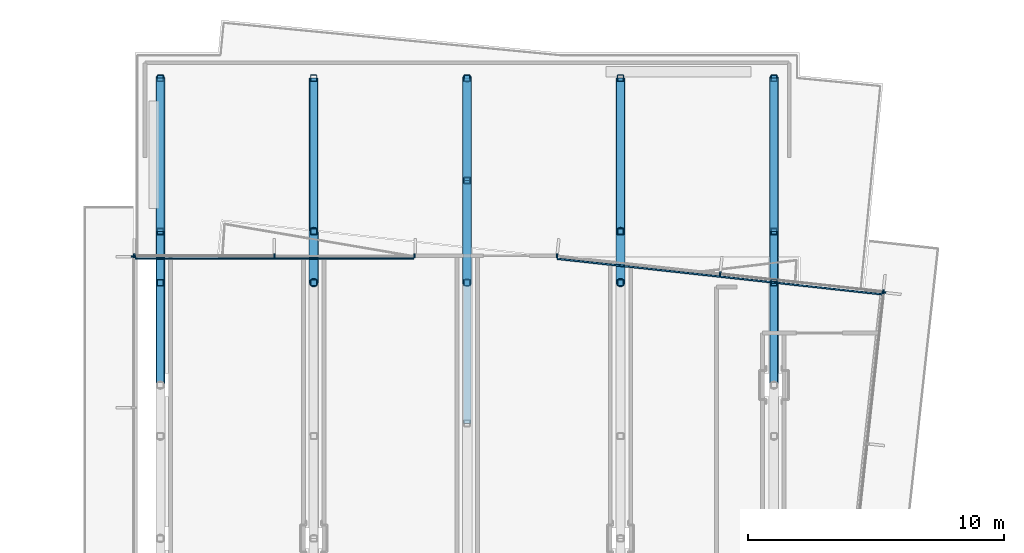
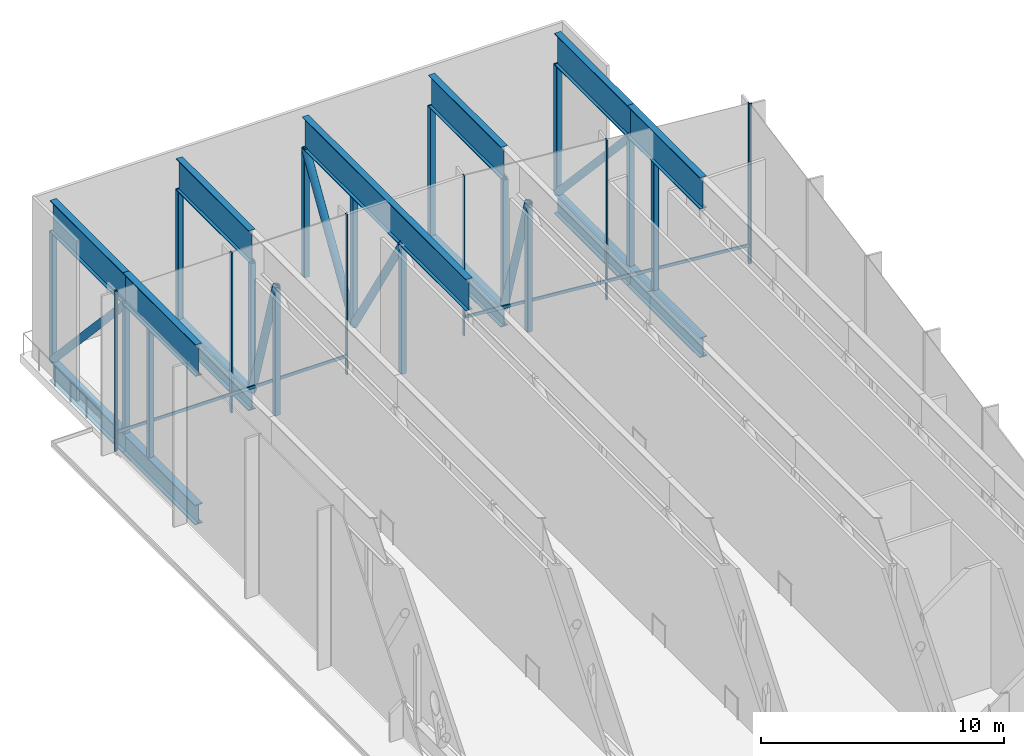
# One storey, part 9 of 21: 44 members, 4 elements without a shape of their own.
"""IFC4 building model written with IfcOpenShell, lengths in metres."""

from ifc_helpers import new_model, si_unit, direction, frame, origin, origin_2d, place, context, subcontext, project, spatial, rectangle, hollow_rectangle, hollow_circle, i_section, extrude, material, layer, layer_set, material_profile, profile_set, type_object, element, aggregate, save


model = new_model("IFC4")

# Units and contexts
model_context = context("Model", 3, precision=1e-05, world=origin(), true_north=direction((0.0, 1.0)))
body_context = subcontext(model_context, "Body", "Model", "MODEL_VIEW")
ifc_project = project(units=[si_unit("LENGTHUNIT", "METRE"), si_unit("AREAUNIT", "SQUARE_METRE"), si_unit("VOLUMEUNIT", "CUBIC_METRE"), si_unit("PLANEANGLEUNIT", "RADIAN"), si_unit("MASSUNIT", "GRAM", prefix="KILO")], contexts=[model_context])

# Site, building, storey
site_placement = place(None, origin())
site = spatial("IfcSite", under=ifc_project, at=site_placement, CompositionType="ELEMENT")
building_placement = place(site_placement, origin())
building = spatial("IfcBuilding", under=site, at=building_placement, Name="Welwitschia Terrace Campus", CompositionType="ELEMENT")
storey_placement = place(building_placement, frame((0.0, 0.0, 255.800048828125)))
storey = spatial("IfcBuildingStorey", under=building, at=storey_placement, Name="L57", CompositionType="ELEMENT", Elevation=255.800048828125)

# Curtain wall, member
ifc_material_1 = material(Name="Bronze anodised aluminium", Category="aluminium")
ifc_layer = layer(ifc_material_1, 0.159912109375)
ifc_layer_set = layer_set([ifc_layer], Name="Bronze anodised aluminium")
curtain_wall_type = type_object("IfcCurtainWallType", Name="Curtain wall CW3 commons 6000", PredefinedType="NOTDEFINED", material=ifc_layer_set)
curtain_wall_1_placement = place(storey_placement, origin())
curtain_wall_1 = element("IfcCurtainWall", 1, at=curtain_wall_1_placement, inside=storey, type_object=curtain_wall_type, Name="CW L57.4.0", PredefinedType="NOTDEFINED")
ifc_material_2 = material(Name="Bronze anodised aluminium", Category="aluminium")
ifc_material_profile_1 = material_profile(ifc_material_2, rectangle(XDim=0.159912109375, YDim=0.06005859375, at=origin_2d()))
ifc_profile_set_1 = profile_set([ifc_material_profile_1], Name="Bronze anodised aluminium")
member_type_1 = type_object("IfcMemberType", Name="Mullion 60x160", PredefinedType="MULLION", material=ifc_profile_set_1)
member_1_placement = place(storey_placement, frame((28.30224609375, 61.616455078125, 0.0), z_axis=(0.0, 0.0, 1.0), x_axis=(-0.994056338222, 0.108866874852, 0.0)))
member_1 = element("IfcMember", 2, at=member_1_placement, type_object=member_type_1, Name="Mullion L57.4.0.5", PredefinedType="MULLION", context=body_context, shape_type="SweptSolid", body=[
    extrude(rectangle(XDim=0.159912109375, YDim=0.06005859375, at=origin_2d()), origin(), (0.0, 0.0, 1.0), 8.050048828125),
])
aggregate(curtain_wall_1, [member_1])

# Curtain wall, members
curtain_wall_2_placement = place(storey_placement, origin())
curtain_wall_2 = element("IfcCurtainWall", 3, at=curtain_wall_2_placement, inside=storey, type_object=curtain_wall_type, Name="CW L57.5.0", PredefinedType="NOTDEFINED")
member_2_placement = place(storey_placement, frame((28.275634765625, 61.6494140625, 0.0), z_axis=(0.0, 0.0, 1.0), x_axis=(-0.108866874852, -0.994056338222, 0.0)))
member_2 = element("IfcMember", 4, at=member_2_placement, type_object=member_type_1, Name="Mullion L57.5.0.0", PredefinedType="MULLION", context=body_context, shape_type="SweptSolid", body=[
    extrude(rectangle(XDim=0.159912109375, YDim=0.06005859375, at=origin_2d()), origin(), (0.0, 0.0, 1.0), 8.050048828125),
])
member_3_placement = place(storey_placement, frame((21.896240234375, 62.34814453125, 0.0), z_axis=(0.0, 0.0, 1.0), x_axis=(-0.108866874852, -0.994056338222, 0.0)))
member_3 = element("IfcMember", 5, at=member_3_placement, type_object=member_type_1, Name="Mullion L57.5.0.1", PredefinedType="MULLION", context=body_context, shape_type="SweptSolid", body=[
    extrude(rectangle(XDim=0.159912109375, YDim=0.06005859375, at=origin_2d()), origin(), (0.0, 0.0, 1.0), 8.050048828125),
])
member_4_placement = place(storey_placement, frame((15.516845703125, 63.046630859375, 0.0), z_axis=(0.0, 0.0, 1.0), x_axis=(-0.108866874852, -0.994056338222, 0.0)))
member_4 = element("IfcMember", 6, at=member_4_placement, type_object=member_type_1, Name="Mullion L57.5.0.2", PredefinedType="MULLION", context=body_context, shape_type="SweptSolid", body=[
    extrude(rectangle(XDim=0.159912109375, YDim=0.06005859375, at=origin_2d()), origin(), (0.0, 0.0, 1.0), 8.050048828125),
])

curtain_wall_3_placement = place(storey_placement, origin())
curtain_wall_3 = element("IfcCurtainWall", 7, at=curtain_wall_3_placement, inside=storey, type_object=curtain_wall_type, Name="CW L57.6.1", PredefinedType="NOTDEFINED")
member_5_placement = place(storey_placement, frame((9.94482421875, 63.050048828125, 0.0), z_axis=(0.0, 0.0, 1.0), x_axis=(0.0, -1.0, 0.0)))
member_5 = element("IfcMember", 8, at=member_5_placement, type_object=member_type_1, Name="Mullion L57.6.1.0", PredefinedType="MULLION", context=body_context, shape_type="SweptSolid", body=[
    extrude(rectangle(XDim=0.159912109375, YDim=0.06005859375, at=origin_2d()), origin(), (0.0, 0.0, 1.0), 8.050048828125),
])
member_6_placement = place(storey_placement, frame((4.46240234375, 63.050048828125, 0.0), z_axis=(0.0, 0.0, 1.0), x_axis=(0.0, -1.0, 0.0)))
member_6 = element("IfcMember", 9, at=member_6_placement, type_object=member_type_1, Name="Mullion L57.6.1.1", PredefinedType="MULLION", context=body_context, shape_type="SweptSolid", body=[
    extrude(rectangle(XDim=0.159912109375, YDim=0.06005859375, at=origin_2d()), origin(), (0.0, 0.0, 1.0), 8.050048828125),
])
member_7_placement = place(storey_placement, frame((-1.02001953125, 63.050048828125, 0.0), z_axis=(0.0, 0.0, 1.0), x_axis=(0.0, -1.0, 0.0)))
member_7 = element("IfcMember", 10, at=member_7_placement, type_object=member_type_1, Name="Mullion L57.6.1.2", PredefinedType="MULLION", context=body_context, shape_type="SweptSolid", body=[
    extrude(rectangle(XDim=0.159912109375, YDim=0.06005859375, at=origin_2d()), origin(), (0.0, 0.0, 1.0), 8.050048828125),
])

# Curtain wall, member
curtain_wall_4_placement = place(storey_placement, origin())
curtain_wall_4 = element("IfcCurtainWall", 11, at=curtain_wall_4_placement, inside=storey, type_object=curtain_wall_type, Name="CW L57.7.0", PredefinedType="NOTDEFINED")
member_8_placement = place(storey_placement, frame((-1.050048828125, 63.02001953125, 0.0), z_axis=(0.0, 0.0, 1.0), x_axis=(1.0, 0.0, 0.0)))
member_8 = element("IfcMember", 12, at=member_8_placement, type_object=member_type_1, Name="Mullion L57.7.0.0", PredefinedType="MULLION", context=body_context, shape_type="SweptSolid", body=[
    extrude(rectangle(XDim=0.159912109375, YDim=0.06005859375, at=origin_2d()), origin(), (0.0, 0.0, 1.0), 8.050048828125),
])
aggregate(curtain_wall_4, [member_8])

# Members
ifc_material_3 = material(Name="Steel S355", Category="steel")
ifc_material_profile_2 = material_profile(ifc_material_3, i_section(OverallWidth=0.35009765625, OverallDepth=1.0, WebThickness=0.02490234375, FlangeThickness=0.0400390625, at=origin_2d()))
ifc_profile_set_2 = profile_set([ifc_material_profile_2], Name="Steel S355")
member_type_2 = type_object("IfcMemberType", Name="Transfer truss C4 bottom chord WI 1000x350x25x40", PredefinedType="CHORD", material=ifc_profile_set_2)
for number, where, z_axis, x_axis, name in (
    (13, (0.0, 58.0, -0.5), (0.0, 1.0, 0.0), (-1.0, 0.0, 0.0), "Truss bottom chord"),
    (14, (0.0, 64.0, -0.5), (0.0, 1.0, 0.0), (-1.0, 0.0, 0.0), "Truss bottom chord"),
    (15, (6.0, 64.0, -0.5), (0.0, 1.0, 0.0), (-1.0, 0.0, 0.0), "Truss bottom chord"),
    (16, (18.0, 64.0, -0.5), (0.0, 1.0, 0.0), (-1.0, 0.0, 0.0), "Truss bottom chord"),
    (17, (24.0, 58.0, -0.5), (0.0, 1.0, 0.0), (-1.0, 0.0, 0.0), "Truss bottom chord"),
    (18, (24.0, 64.0, -0.5), (0.0, 1.0, 0.0), (-1.0, 0.0, 0.0), "Truss bottom chord"),
):
    element("IfcMember", number, at=place(storey_placement, frame(where, z_axis=z_axis, x_axis=x_axis)), inside=storey, type_object=member_type_2, Name=name, PredefinedType="CHORD", context=body_context, shape_type="SweptSolid", body=[
        extrude(i_section(OverallWidth=0.35009765625, OverallDepth=1.0, WebThickness=0.02490234375, FlangeThickness=0.0400390625, at=origin_2d()), origin(), (0.0, 0.0, 1.0), 6.0),
    ])
ifc_material_4 = material(Name="Steel S355", Category="steel")
ifc_material_profile_3 = material_profile(ifc_material_4, hollow_circle(Radius=0.177734375, WallThickness=0.01611328125, at=origin_2d()))
ifc_profile_set_3 = profile_set([ifc_material_profile_3], Name="Steel S355")
member_type_3 = type_object("IfcMemberType", Name="Transfer truss C4 diagonal CHS 355.6x16", PredefinedType="BRACE", material=ifc_profile_set_3)
member_9_placement = place(storey_placement, frame((0.0, 70.0, 0.0), z_axis=(0.0, -0.681106706671, 0.732184166811), x_axis=(1.0, 0.0, 0.0)))
element("IfcMember", 19, at=member_9_placement, inside=storey, type_object=member_type_3, Name="Truss diagonal", PredefinedType="BRACE", context=body_context, shape_type="SweptSolid", body=[
    extrude(hollow_circle(Radius=0.177734375, WallThickness=0.01611328125, at=origin_2d()), origin(), (0.0, 0.0, 1.0), 8.80908203125),
])
member_10_placement = place(storey_placement, frame((6.0, 64.0, 0.0), z_axis=(0.0, -0.296168365803, 0.955135749042), x_axis=(1.0, 0.0, 0.0)))
element("IfcMember", 20, at=member_10_placement, inside=storey, type_object=member_type_3, Name="Truss diagonal", PredefinedType="BRACE", context=body_context, shape_type="SweptSolid", body=[
    extrude(hollow_circle(Radius=0.177734375, WallThickness=0.01611328125, at=origin_2d()), origin(), (0.0, 0.0, 1.0), 6.7529296875),
])
for number, where, z_axis, x_axis, name in (
    (21, (12.0, 66.0, 0.0), (0.0, -0.527037721004, 0.849841891553), (1.0, 0.0, 0.0), "Truss diagonal"),
    (22, (12.0, 66.0, 0.0), (0.0, 0.527037721004, 0.849841891553), (-1.0, 0.0, 0.0), "Truss diagonal"),
):
    element("IfcMember", number, at=place(storey_placement, frame(where, z_axis=z_axis, x_axis=x_axis)), inside=storey, type_object=member_type_3, Name=name, PredefinedType="BRACE", context=body_context, shape_type="SweptSolid", body=[
        extrude(hollow_circle(Radius=0.177734375, WallThickness=0.01611328125, at=origin_2d()), origin(), (0.0, 0.0, 1.0), 7.589599609375),
    ])
member_11_placement = place(storey_placement, frame((18.0, 64.0, 0.0), z_axis=(0.0, -0.296168365803, 0.955135749042), x_axis=(1.0, 0.0, 0.0)))
element("IfcMember", 23, at=member_11_placement, inside=storey, type_object=member_type_3, Name="Truss diagonal", PredefinedType="BRACE", context=body_context, shape_type="SweptSolid", body=[
    extrude(hollow_circle(Radius=0.177734375, WallThickness=0.01611328125, at=origin_2d()), origin(), (0.0, 0.0, 1.0), 6.7529296875),
])
member_12_placement = place(storey_placement, frame((24.0, 70.0, 0.0), z_axis=(0.0, -0.681106706671, 0.732184166811), x_axis=(1.0, 0.0, 0.0)))
element("IfcMember", 24, at=member_12_placement, inside=storey, type_object=member_type_3, Name="Truss diagonal", PredefinedType="BRACE", context=body_context, shape_type="SweptSolid", body=[
    extrude(hollow_circle(Radius=0.177734375, WallThickness=0.01611328125, at=origin_2d()), origin(), (0.0, 0.0, 1.0), 8.80908203125),
])
ifc_material_5 = material(Name="Steel S355", Category="steel")
ifc_material_profile_4 = material_profile(ifc_material_5, hollow_rectangle(XDim=0.25, YDim=0.25, WallThickness=0.013916015625, InnerFilletRadius=0.013916015625, OuterFilletRadius=0.02099609375, at=origin_2d()))
ifc_profile_set_4 = profile_set([ifc_material_profile_4], Name="Steel S355")
member_type_4 = type_object("IfcMemberType", Name="Transfer truss C4 post SHS 250x250x14", PredefinedType="POST", material=ifc_profile_set_4)
for number, where, z_axis, x_axis, name in (
    (25, (0.0, 62.0, 0.0), (0.0, 0.0, 1.0), (1.0, 0.0, 0.0), "Truss post"),
    (26, (0.0, 64.0, 0.0), (0.0, 0.0, 1.0), (1.0, 0.0, 0.0), "Truss post"),
    (27, (0.0, 70.0, 0.0), (0.0, 0.0, 1.0), (1.0, 0.0, 0.0), "Truss post"),
    (28, (6.0, 62.0, 0.0), (0.0, 0.0, 1.0), (1.0, 0.0, 0.0), "Truss post"),
    (29, (6.0, 64.0, 0.0), (0.0, 0.0, 1.0), (1.0, 0.0, 0.0), "Truss post"),
    (30, (6.0, 70.0, 0.0), (0.0, 0.0, 1.0), (1.0, 0.0, 0.0), "Truss post"),
    (31, (12.0, 62.0, 0.0), (0.0, 0.0, 1.0), (1.0, 0.0, 0.0), "Truss post"),
    (32, (12.0, 66.0, 0.0), (0.0, 0.0, 1.0), (1.0, 0.0, 0.0), "Truss post"),
    (33, (12.0, 70.0, 0.0), (0.0, 0.0, 1.0), (1.0, 0.0, 0.0), "Truss post"),
    (34, (18.0, 62.0, 0.0), (0.0, 0.0, 1.0), (1.0, 0.0, 0.0), "Truss post"),
    (35, (18.0, 64.0, 0.0), (0.0, 0.0, 1.0), (1.0, 0.0, 0.0), "Truss post"),
    (36, (18.0, 70.0, 0.0), (0.0, 0.0, 1.0), (1.0, 0.0, 0.0), "Truss post"),
    (37, (24.0, 62.0, 0.0), (0.0, 0.0, 1.0), (1.0, 0.0, 0.0), "Truss post"),
    (38, (24.0, 64.0, 0.0), (0.0, 0.0, 1.0), (1.0, 0.0, 0.0), "Truss post"),
    (39, (24.0, 70.0, 0.0), (0.0, 0.0, 1.0), (1.0, 0.0, 0.0), "Truss post"),
):
    element("IfcMember", number, at=place(storey_placement, frame(where, z_axis=z_axis, x_axis=x_axis)), inside=storey, type_object=member_type_4, Name=name, PredefinedType="POST", context=body_context, shape_type="SweptSolid", body=[
        extrude(hollow_rectangle(XDim=0.25, YDim=0.25, WallThickness=0.013916015625, InnerFilletRadius=0.013916015625, OuterFilletRadius=0.02099609375, at=origin_2d()), origin(), (0.0, 0.0, 1.0), 6.449951171875),
    ])
ifc_material_6 = material(Name="Steel S355", Category="steel")
ifc_material_profile_5 = material_profile(ifc_material_6, i_section(OverallWidth=0.300048828125, OverallDepth=1.60009765625, WebThickness=0.02490234375, FlangeThickness=0.0400390625, at=origin_2d()))
ifc_profile_set_5 = profile_set([ifc_material_profile_5], Name="Steel S355")
member_type_5 = type_object("IfcMemberType", Name="Transfer truss C4 top chord WI 1600x300x25x40", PredefinedType="CHORD", material=ifc_profile_set_5)
for number, where, z_axis, x_axis, name in (
    (40, (0.0, 58.0, 7.25), (0.0, 1.0, 0.0), (-1.0, 0.0, 0.0), "Truss top chord"),
    (41, (0.0, 64.0, 7.25), (0.0, 1.0, 0.0), (-1.0, 0.0, 0.0), "Truss top chord"),
    (42, (6.0, 64.0, 7.25), (0.0, 1.0, 0.0), (-1.0, 0.0, 0.0), "Truss top chord"),
):
    element("IfcMember", number, at=place(storey_placement, frame(where, z_axis=z_axis, x_axis=x_axis)), inside=storey, type_object=member_type_5, Name=name, PredefinedType="CHORD", context=body_context, shape_type="SweptSolid", body=[
        extrude(i_section(OverallWidth=0.300048828125, OverallDepth=1.60009765625, WebThickness=0.02490234375, FlangeThickness=0.0400390625, at=origin_2d()), origin(), (0.0, 0.0, 1.0), 6.0),
    ])
member_13_placement = place(storey_placement, frame((12.0, 56.5, 7.25), z_axis=(0.0, 1.0, 0.0), x_axis=(-1.0, 0.0, 0.0)))
element("IfcMember", 43, at=member_13_placement, inside=storey, type_object=member_type_5, Name="Truss top chord", PredefinedType="CHORD", context=body_context, shape_type="SweptSolid", body=[
    extrude(i_section(OverallWidth=0.300048828125, OverallDepth=1.60009765625, WebThickness=0.02490234375, FlangeThickness=0.0400390625, at=origin_2d()), origin(), (0.0, 0.0, 1.0), 13.5),
])
for number, where, z_axis, x_axis, name in (
    (44, (18.0, 64.0, 7.25), (0.0, 1.0, 0.0), (-1.0, 0.0, 0.0), "Truss top chord"),
    (45, (24.0, 58.0, 7.25), (0.0, 1.0, 0.0), (-1.0, 0.0, 0.0), "Truss top chord"),
    (46, (24.0, 64.0, 7.25), (0.0, 1.0, 0.0), (-1.0, 0.0, 0.0), "Truss top chord"),
):
    element("IfcMember", number, at=place(storey_placement, frame(where, z_axis=z_axis, x_axis=x_axis)), inside=storey, type_object=member_type_5, Name=name, PredefinedType="CHORD", context=body_context, shape_type="SweptSolid", body=[
        extrude(i_section(OverallWidth=0.300048828125, OverallDepth=1.60009765625, WebThickness=0.02490234375, FlangeThickness=0.0400390625, at=origin_2d()), origin(), (0.0, 0.0, 1.0), 6.0),
    ])

# Member
ifc_material_7 = material(Name="Bronze anodised aluminium", Category="aluminium")
ifc_material_profile_6 = material_profile(ifc_material_7, rectangle(XDim=0.06005859375, YDim=0.14990234375, at=origin_2d()))
ifc_profile_set_6 = profile_set([ifc_material_profile_6], Name="Bronze anodised aluminium")
member_type_6 = type_object("IfcMemberType", Name="Transom 60x150", PredefinedType="USERDEFINED", material=ifc_profile_set_6)
member_14_placement = place(storey_placement, frame((28.23388671875, 61.54345703125, 1.0), z_axis=(-0.99405751491, 0.108856130057, 0.0), x_axis=(-0.108856130057, -0.99405751491, 0.0)))
member_14 = element("IfcMember", 47, at=member_14_placement, type_object=member_type_6, Name="Transom L57.5.0", ObjectType="TRANSOM", PredefinedType="USERDEFINED", context=body_context, shape_type="SweptSolid", body=[
    extrude(rectangle(XDim=0.06005859375, YDim=0.14990234375, at=origin_2d()), origin(), (0.0, 0.0, 1.0), 12.77490234375),
])

aggregate(curtain_wall_2, [member_2, member_3, member_4, member_14])

member_15_placement = place(storey_placement, frame((9.914794921875, 62.93994140625, 1.0), z_axis=(-1.0, 0.0, 0.0), x_axis=(0.0, -1.0, 0.0)))
member_15 = element("IfcMember", 48, at=member_15_placement, type_object=member_type_6, Name="Transom L57.6.1", ObjectType="TRANSOM", PredefinedType="USERDEFINED", context=body_context, shape_type="SweptSolid", body=[
    extrude(rectangle(XDim=0.06005859375, YDim=0.14990234375, at=origin_2d()), origin(), (0.0, 0.0, 1.0), 10.90478515625),
])

aggregate(curtain_wall_3, [member_5, member_6, member_7, member_15])

save(model, "model.ifc")
